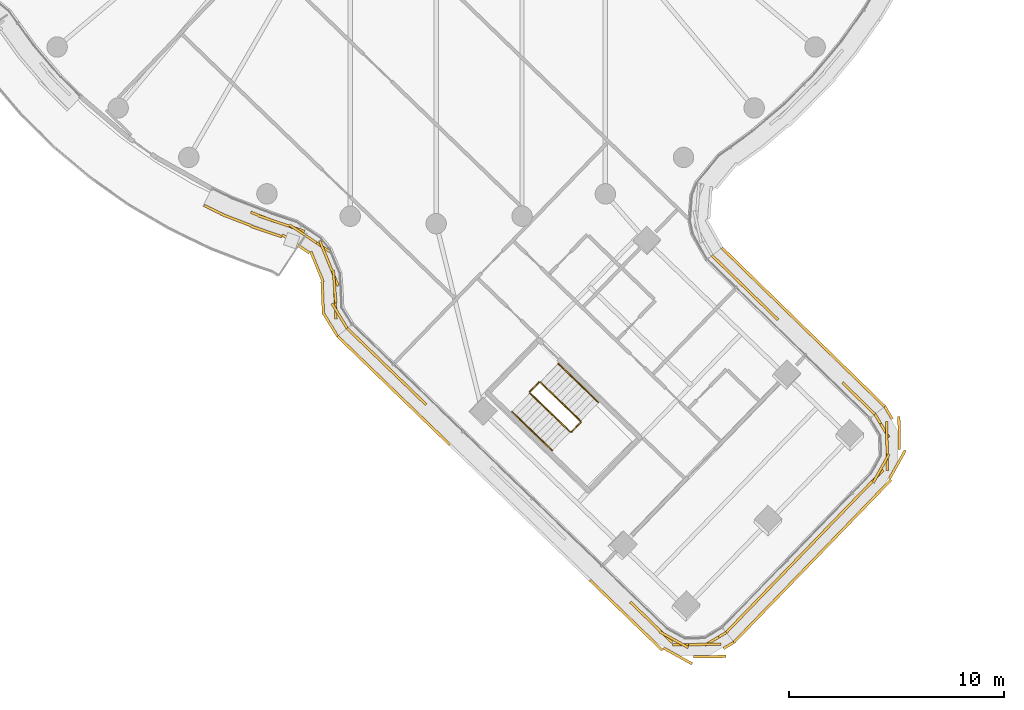
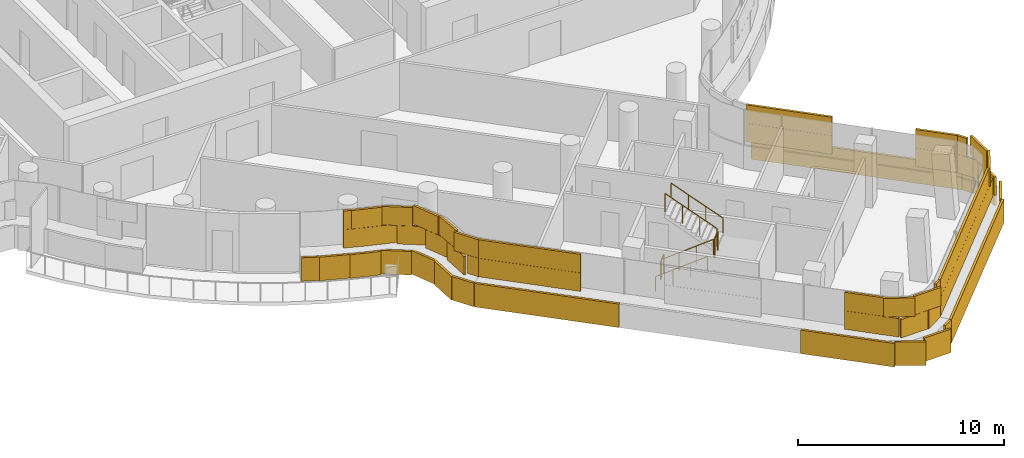
# One storey, part 25 of 31: 6 railings, 5 coverings.
"""IFC4 building model written with IfcOpenShell, lengths in metres."""

from ifc_helpers import new_model, si_unit, direction, frame, origin, origin_2d, place, context, subcontext, project, spatial, rectangle, circle, extrude, material, layer, layer_set, type_object, element, save


model = new_model("IFC4")

# Units and contexts
model_context = context("Model", 3, precision=1e-05, world=origin(), true_north=direction((0.0, 1.0)))
body_context = subcontext(model_context, "Body", "Model", "MODEL_VIEW")
ifc_project = project(units=[si_unit("LENGTHUNIT", "METRE"), si_unit("AREAUNIT", "SQUARE_METRE"), si_unit("VOLUMEUNIT", "CUBIC_METRE"), si_unit("PLANEANGLEUNIT", "RADIAN"), si_unit("MASSUNIT", "GRAM", prefix="KILO")], contexts=[model_context])

# Site, building, storey
site_placement = place(None, origin())
site = spatial("IfcSite", under=ifc_project, at=site_placement, CompositionType="ELEMENT")
building_placement = place(site_placement, origin())
building = spatial("IfcBuilding", under=site, at=building_placement, Name="Tamarind Cross Interchange Tower", CompositionType="ELEMENT")
storey_placement = place(building_placement, frame((0.0, 0.0, 200.5)))
storey = spatial("IfcBuildingStorey", under=building, at=storey_placement, Name="L50", CompositionType="ELEMENT", Elevation=200.5)

# Railings
ifc_material_1 = material(Name="Stair guard")
railing_type_1 = type_object("IfcRailingType", Name="Stair guard", PredefinedType="GUARDRAIL", material=ifc_material_1)
railing_1_placement = place(storey_placement, frame((4.3583984375, -30.872314453125, 0.16357421875)))
element("IfcRailing", 1, at=railing_1_placement, inside=storey, type_object=railing_type_1, Name="L50 ST6 stair guard 1", PredefinedType="GUARDRAIL", context=body_context, shape_type="SweptSolid", body=[
    extrude(circle(Radius=0.02392578125, at=origin_2d()), frame((0.0, 0.0, 1.076171875), z_axis=(0.608485664496, -0.588221351521, 0.532673293603), x_axis=(0.695033422776, 0.718977427479, 0.0)), (0.0, 0.0, 1.0), 3.072265625),
    extrude(circle(Radius=0.02099609375, at=origin_2d()), origin(), (0.0, 0.0, 1.0), 1.052001953125),
    extrude(circle(Radius=0.02099609375, at=origin_2d()), frame((0.623046875, -0.602294921875, 0.54541015625)), (0.0, 0.0, 1.0), 1.052001953125),
    extrude(circle(Radius=0.02099609375, at=origin_2d()), frame((1.246337890625, -1.204833984375, 1.091064453125)), (0.0, 0.0, 1.0), 1.052001953125),
    extrude(circle(Radius=0.02099609375, at=origin_2d()), frame((1.869384765625, -1.80712890625, 1.636474609375)), (0.0, 0.0, 1.0), 1.052001953125),
])
railing_2_placement = place(storey_placement, frame((6.29833984375, -32.67822265625, 1.800048828125)))
element("IfcRailing", 2, at=railing_2_placement, inside=storey, type_object=railing_type_1, Name="L50 ST6 stair guard 2", PredefinedType="GUARDRAIL", context=body_context, shape_type="SweptSolid", body=[
    extrude(circle(Radius=0.02392578125, at=origin_2d()), frame((0.0, 0.0, 1.076171875), z_axis=(0.695001061607, 0.71900870952, 0.0), x_axis=(-0.71900870952, 0.695001061607, 0.0)), (0.0, 0.0, 1.0), 0.60009765625),
    extrude(circle(Radius=0.02099609375, at=origin_2d()), origin(), (0.0, 0.0, 1.0), 1.052001953125),
    extrude(circle(Radius=0.02099609375, at=origin_2d()), frame((0.4169921875, 0.431396484375, 0.0)), (0.0, 0.0, 1.0), 1.052001953125),
])
railing_3_placement = place(storey_placement, frame((6.714111328125, -32.176025390625, 1.963623046875)))
element("IfcRailing", 3, at=railing_3_placement, inside=storey, type_object=railing_type_1, Name="L50 ST6 stair guard 3", PredefinedType="GUARDRAIL", context=body_context, shape_type="SweptSolid", body=[
    extrude(circle(Radius=0.02392578125, at=origin_2d()), frame((0.0, 0.0, 1.076171875), z_axis=(-0.608485664496, 0.588221351521, 0.532673293603), x_axis=(-0.695033422776, -0.718977427479, 0.0)), (0.0, 0.0, 1.0), 3.072265625),
    extrude(circle(Radius=0.02099609375, at=origin_2d()), origin(), (0.0, 0.0, 1.0), 1.052001953125),
    extrude(circle(Radius=0.02099609375, at=origin_2d()), frame((-0.623046875, 0.602294921875, 0.54541015625)), (0.0, 0.0, 1.0), 1.052001953125),
    extrude(circle(Radius=0.02099609375, at=origin_2d()), frame((-1.246337890625, 1.204833984375, 1.091064453125)), (0.0, 0.0, 1.0), 1.052001953125),
    extrude(circle(Radius=0.02099609375, at=origin_2d()), frame((-1.869384765625, 1.80712890625, 1.636474609375)), (0.0, 0.0, 1.0), 1.052001953125),
])
railing_4_placement = place(storey_placement, frame((4.357177734375, -30.801513671875, 0.0)))
element("IfcRailing", 4, at=railing_4_placement, inside=storey, type_object=railing_type_1, Name="L50 ST6 stair guard 4", PredefinedType="GUARDRAIL", context=body_context, shape_type="SweptSolid", body=[
    extrude(circle(Radius=0.02392578125, at=origin_2d()), frame((0.0, 0.0, 1.076171875), z_axis=(0.695001061607, 0.71900870952, 0.0), x_axis=(-0.71900870952, 0.695001061607, 0.0)), (0.0, 0.0, 1.0), 0.60009765625),
    extrude(circle(Radius=0.02099609375, at=origin_2d()), origin(), (0.0, 0.0, 1.0), 1.052001953125),
    extrude(circle(Radius=0.02099609375, at=origin_2d()), frame((0.4169921875, 0.431396484375, 0.0)), (0.0, 0.0, 1.0), 1.052001953125),
])
ifc_material_2 = material(Name="Stair handrail")
railing_type_2 = type_object("IfcRailingType", Name="Stair handrail", PredefinedType="HANDRAIL", material=ifc_material_2)
railing_5_placement = place(storey_placement, frame((3.524169921875, -31.735107421875, 0.16357421875)))
element("IfcRailing", 5, at=railing_5_placement, inside=storey, type_object=railing_type_2, Name="L50 ST6 stair handrail 1", PredefinedType="HANDRAIL", context=body_context, shape_type="SweptSolid", body=[
    extrude(circle(Radius=0.02392578125, at=origin_2d()), frame((0.0, 0.0, 0.8759765625), z_axis=(0.608485664496, -0.588221351521, 0.532673293603), x_axis=(0.695033422776, 0.718977427479, 0.0)), (0.0, 0.0, 1.0), 3.072265625),
    extrude(circle(Radius=0.02099609375, at=origin_2d()), origin(), (0.0, 0.0, 1.0), 0.851806640625),
    extrude(circle(Radius=0.02099609375, at=origin_2d()), frame((0.623046875, -0.602294921875, 0.54541015625)), (0.0, 0.0, 1.0), 0.851806640625),
    extrude(circle(Radius=0.02099609375, at=origin_2d()), frame((1.246337890625, -1.204833984375, 1.091064453125)), (0.0, 0.0, 1.0), 0.851806640625),
    extrude(circle(Radius=0.02099609375, at=origin_2d()), frame((1.869384765625, -1.80712890625, 1.636474609375)), (0.0, 0.0, 1.0), 0.851806640625),
])
railing_6_placement = place(storey_placement, frame((7.548095703125, -31.313232421875, 1.963623046875)))
element("IfcRailing", 6, at=railing_6_placement, inside=storey, type_object=railing_type_2, Name="L50 ST6 stair handrail 2", PredefinedType="HANDRAIL", context=body_context, shape_type="SweptSolid", body=[
    extrude(circle(Radius=0.02392578125, at=origin_2d()), frame((0.0, 0.0, 0.8759765625), z_axis=(-0.608485664496, 0.588221351521, 0.532673293603), x_axis=(-0.695033422776, -0.718977427479, 0.0)), (0.0, 0.0, 1.0), 3.072265625),
    extrude(circle(Radius=0.02099609375, at=origin_2d()), origin(), (0.0, 0.0, 1.0), 0.851806640625),
    extrude(circle(Radius=0.02099609375, at=origin_2d()), frame((-0.623046875, 0.602294921875, 0.54541015625)), (0.0, 0.0, 1.0), 0.851806640625),
    extrude(circle(Radius=0.02099609375, at=origin_2d()), frame((-1.246337890625, 1.204833984375, 1.091064453125)), (0.0, 0.0, 1.0), 0.851806640625),
    extrude(circle(Radius=0.02099609375, at=origin_2d()), frame((-1.869384765625, 1.80712890625, 1.636474609375)), (0.0, 0.0, 1.0), 0.851806640625),
])

# Coverings
ifc_material_3 = material(Name="Terracotta", Category="masonry")
ifc_layer = layer(ifc_material_3, 0.1201171875)
ifc_layer_set = layer_set([ifc_layer], Name="Terracotta")
covering_type = type_object("IfcCoveringType", Name="Terracotta baguette screen unit", PredefinedType="MOLDING", material=ifc_layer_set)
covering_1_placement = place(storey_placement, origin())
element("IfcCovering", 7, at=covering_1_placement, inside=storey, type_object=covering_type, Name="SCR-L50-02-01", PredefinedType="MOLDING", context=body_context, shape_type="SweptSolid", body=[
    extrude(rectangle(XDim=1.1513671875, YDim=0.1201171875, at=origin_2d()), frame((-8.081298828125, -22.67626953125, 1.40380859375), z_axis=(0.0, 0.0, 1.0), x_axis=(0.933146843667, -0.359495435512, 0.0)), (0.0, 0.0, 1.0), 1.092041015625),
    extrude(rectangle(XDim=1.52001953125, YDim=0.1201171875, at=origin_2d()), frame((-6.835693359375, -23.114501953125, 1.40380859375), z_axis=(0.0, 0.0, 1.0), x_axis=(0.947218551696, -0.320588545215, 0.0)), (0.0, 0.0, 1.0), 1.092041015625),
    extrude(rectangle(XDim=1.52001953125, YDim=0.1201171875, at=origin_2d()), frame((-5.559814453125, -23.890380859375, 1.40380859375), z_axis=(0.0, 0.0, 1.0), x_axis=(0.832400058238, -0.554175191655, 0.0)), (0.0, 0.0, 1.0), 1.092041015625),
    extrude(rectangle(XDim=1.52001953125, YDim=0.1201171875, at=origin_2d()), frame((-4.8427734375, -25.1875, 1.40380859375), z_axis=(0.0, 0.0, 1.0), x_axis=(0.377778189197, -0.925896127958, 0.0)), (0.0, 0.0, 1.0), 1.092041015625),
    extrude(rectangle(XDim=1.52001953125, YDim=0.1201171875, at=origin_2d()), frame((-4.689697265625, -26.669921875, 1.40380859375), z_axis=(0.0, 0.0, 1.0), x_axis=(0.044097698036, -0.999027223367, 0.0)), (0.0, 0.0, 1.0), 1.092041015625),
    extrude(rectangle(XDim=0.606201171875, YDim=0.1201171875, at=origin_2d()), frame((-4.291259765625, -27.609130859375, 1.40380859375), z_axis=(0.0, 0.0, 1.0), x_axis=(0.522348907446, -0.852731856383, 0.0)), (0.0, 0.0, 1.0), 1.092041015625),
    extrude(rectangle(XDim=0.4013671875, YDim=0.1201171875, at=origin_2d()), frame((-8.43115234375, -22.54150390625, 2.50390625), z_axis=(0.0, 0.0, 1.0), x_axis=(0.933146843667, -0.359495435512, 0.0)), (0.0, 0.0, 1.0), 1.092041015625),
    extrude(rectangle(XDim=1.52001953125, YDim=0.1201171875, at=origin_2d()), frame((-7.546142578125, -22.8740234375, 2.50390625), z_axis=(0.0, 0.0, 1.0), x_axis=(0.947218551696, -0.320588545215, 0.0)), (0.0, 0.0, 1.0), 1.092041015625),
    extrude(rectangle(XDim=1.52001953125, YDim=0.1201171875, at=origin_2d()), frame((-6.18408203125, -23.474853515625, 2.50390625), z_axis=(0.0, 0.0, 1.0), x_axis=(0.832400058238, -0.554175191655, 0.0)), (0.0, 0.0, 1.0), 1.092041015625),
    extrude(rectangle(XDim=1.52001953125, YDim=0.1201171875, at=origin_2d()), frame((-5.1259765625, -24.492919921875, 2.50390625), z_axis=(0.0, 0.0, 1.0), x_axis=(0.377778189197, -0.925896127958, 0.0)), (0.0, 0.0, 1.0), 1.092041015625),
    extrude(rectangle(XDim=1.52001953125, YDim=0.1201171875, at=origin_2d()), frame((-4.72412109375, -25.920654296875, 2.50390625), z_axis=(0.0, 0.0, 1.0), x_axis=(0.075842703225, -0.997119794392, 0.0)), (0.0, 0.0, 1.0), 1.092041015625),
    extrude(rectangle(XDim=1.356201171875, YDim=0.1201171875, at=origin_2d()), frame((-4.487060546875, -27.28955078125, 2.50390625), z_axis=(0.0, 0.0, 1.0), x_axis=(0.522348907446, -0.852731856383, 0.0)), (0.0, 0.0, 1.0), 1.092041015625),
    extrude(rectangle(XDim=0.8935546875, YDim=0.1201171875, at=origin_2d()), frame((-10.387451171875, -22.345947265625, 0.00390625), z_axis=(0.0, 0.0, 1.0), x_axis=(0.900272776334, -0.435326231914, 0.0)), (0.0, 0.0, 1.0), 1.39208984375),
    extrude(rectangle(XDim=1.52001953125, YDim=0.1201171875, at=origin_2d()), frame((-9.30126953125, -22.8212890625, 0.00390625), z_axis=(0.0, 0.0, 1.0), x_axis=(0.933146843667, -0.359495435512, 0.0)), (0.0, 0.0, 1.0), 1.39208984375),
    extrude(rectangle(XDim=1.52001953125, YDim=0.1201171875, at=origin_2d()), frame((-7.901123046875, -23.35986328125, 0.00390625), z_axis=(0.0, 0.0, 1.0), x_axis=(0.947218551696, -0.320588545215, 0.0)), (0.0, 0.0, 1.0), 1.39208984375),
    extrude(rectangle(XDim=1.52001953125, YDim=0.1201171875, at=origin_2d()), frame((-6.527099609375, -23.93603515625, 0.00390625), z_axis=(0.0, 0.0, 1.0), x_axis=(0.832400058238, -0.554175191655, 0.0)), (0.0, 0.0, 1.0), 1.39208984375),
    extrude(rectangle(XDim=1.52001953125, YDim=0.1201171875, at=origin_2d()), frame((-5.53857421875, -25.001220703125, 0.00390625), z_axis=(0.0, 0.0, 1.0), x_axis=(0.377778189197, -0.925896127958, 0.0)), (0.0, 0.0, 1.0), 1.39208984375),
    extrude(rectangle(XDim=1.52001953125, YDim=0.1201171875, at=origin_2d()), frame((-5.273681640625, -26.458740234375, 0.00390625), z_axis=(0.0, 0.0, 1.0), x_axis=(0.044097698036, -0.999027223367, 0.0)), (0.0, 0.0, 1.0), 1.39208984375),
    extrude(rectangle(XDim=1.21240234375, YDim=0.1201171875, at=origin_2d()), frame((-4.903564453125, -27.70849609375, 0.00390625), z_axis=(0.0, 0.0, 1.0), x_axis=(0.522348907446, -0.852731856383, 0.0)), (0.0, 0.0, 1.0), 1.39208984375),
])
covering_2_placement = place(storey_placement, origin())
element("IfcCovering", 8, at=covering_2_placement, inside=storey, type_object=covering_type, Name="SCR-L50-03-00", PredefinedType="MOLDING", context=body_context, shape_type="SweptSolid", body=[
    extrude(rectangle(XDim=1.510009765625, YDim=0.1201171875, at=origin_2d()), frame((-3.59619140625, -28.384765625, 1.40380859375), z_axis=(0.0, 0.0, 1.0), x_axis=(0.718990536097, -0.695019862308, 0.0)), (0.0, 0.0, 1.0), 1.092041015625),
    extrude(rectangle(XDim=1.52001953125, YDim=0.1201171875, at=origin_2d()), frame((-2.517822265625, -29.42724609375, 1.40380859375), z_axis=(0.0, 0.0, 1.0), x_axis=(0.718990536097, -0.695019862308, 0.0)), (0.0, 0.0, 1.0), 1.092041015625),
    extrude(rectangle(XDim=1.52001953125, YDim=0.1201171875, at=origin_2d()), frame((-1.439208984375, -30.4697265625, 1.40380859375), z_axis=(0.0, 0.0, 1.0), x_axis=(0.718990536097, -0.695019862308, 0.0)), (0.0, 0.0, 1.0), 1.092041015625),
    extrude(rectangle(XDim=0.60498046875, YDim=0.1201171875, at=origin_2d()), frame((-0.68603515625, -31.19775390625, 1.40380859375), z_axis=(0.0, 0.0, 1.0), x_axis=(0.718990536097, -0.695019862308, 0.0)), (0.0, 0.0, 1.0), 1.092041015625),
    extrude(rectangle(XDim=0.760009765625, YDim=0.1201171875, at=origin_2d()), frame((-3.86572265625, -28.1240234375, 2.50390625), z_axis=(0.0, 0.0, 1.0), x_axis=(0.718990536097, -0.695019862308, 0.0)), (0.0, 0.0, 1.0), 1.092041015625),
    extrude(rectangle(XDim=1.52001953125, YDim=0.1201171875, at=origin_2d()), frame((-3.056884765625, -28.906005859375, 2.50390625), z_axis=(0.0, 0.0, 1.0), x_axis=(0.718990536097, -0.695019862308, 0.0)), (0.0, 0.0, 1.0), 1.092041015625),
    extrude(rectangle(XDim=1.52001953125, YDim=0.1201171875, at=origin_2d()), frame((-1.978515625, -29.948486328125, 2.50390625), z_axis=(0.0, 0.0, 1.0), x_axis=(0.718990536097, -0.695019862308, 0.0)), (0.0, 0.0, 1.0), 1.092041015625),
    extrude(rectangle(XDim=1.35498046875, YDim=0.1201171875, at=origin_2d()), frame((-0.955810546875, -30.937255859375, 2.50390625), z_axis=(0.0, 0.0, 1.0), x_axis=(0.718990536097, -0.695019862308, 0.0)), (0.0, 0.0, 1.0), 1.092041015625),
    extrude(rectangle(XDim=1.510009765625, YDim=0.1201171875, at=origin_2d()), frame((-4.0439453125, -28.750244140625, 0.00390625), z_axis=(0.0, 0.0, 1.0), x_axis=(0.718990536097, -0.695019862308, 0.0)), (0.0, 0.0, 1.0), 1.39208984375),
    extrude(rectangle(XDim=1.52001953125, YDim=0.1201171875, at=origin_2d()), frame((-2.968994140625, -29.789306640625, 0.00390625), z_axis=(0.0, 0.0, 1.0), x_axis=(0.718990536097, -0.695019862308, 0.0)), (0.0, 0.0, 1.0), 1.39208984375),
    extrude(rectangle(XDim=1.52001953125, YDim=0.1201171875, at=origin_2d()), frame((-1.890625, -30.831787109375, 0.00390625), z_axis=(0.0, 0.0, 1.0), x_axis=(0.718990536097, -0.695019862308, 0.0)), (0.0, 0.0, 1.0), 1.39208984375),
    extrude(rectangle(XDim=1.52001953125, YDim=0.1201171875, at=origin_2d()), frame((-0.81201171875, -31.874267578125, 0.00390625), z_axis=(0.0, 0.0, 1.0), x_axis=(0.718990536097, -0.695019862308, 0.0)), (0.0, 0.0, 1.0), 1.39208984375),
    extrude(rectangle(XDim=1.25732421875, YDim=0.1201171875, at=origin_2d()), frame((0.171875, -32.825439453125, 0.00390625), z_axis=(0.0, 0.0, 1.0), x_axis=(0.718990536097, -0.695019862308, 0.0)), (0.0, 0.0, 1.0), 1.39208984375),
])
covering_3_placement = place(storey_placement, origin())
element("IfcCovering", 9, at=covering_3_placement, inside=storey, type_object=covering_type, Name="SCR-L50-03-02", PredefinedType="MOLDING", context=body_context, shape_type="SweptSolid", body=[
    extrude(rectangle(XDim=1.204833984375, YDim=0.1201171875, at=origin_2d()), frame((9.455322265625, -41.001220703125, 1.40380859375), z_axis=(0.0, 0.0, 1.0), x_axis=(0.718990536097, -0.695019862308, 0.0)), (0.0, 0.0, 1.0), 1.092041015625),
    extrude(rectangle(XDim=1.52001953125, YDim=0.1201171875, at=origin_2d()), frame((10.424072265625, -41.937744140625, 1.40380859375), z_axis=(0.0, 0.0, 1.0), x_axis=(0.718990536097, -0.695019862308, 0.0)), (0.0, 0.0, 1.0), 1.092041015625),
    extrude(rectangle(XDim=1.52001953125, YDim=0.1201171875, at=origin_2d()), frame((11.7421875, -42.56982421875, 1.40380859375), z_axis=(0.0, 0.0, 1.0), x_axis=(0.999856341381, 0.016949825986, 0.0)), (0.0, 0.0, 1.0), 1.092041015625),
    extrude(rectangle(XDim=1.154052734375, YDim=0.1201171875, at=origin_2d()), frame((12.992919921875, -42.299072265625, 1.40380859375), z_axis=(0.0, 0.0, 1.0), x_axis=(0.857426078778, 0.514607150584, 0.0)), (0.0, 0.0, 1.0), 1.092041015625),
    extrude(rectangle(XDim=0.454833984375, YDim=0.1201171875, at=origin_2d()), frame((9.185791015625, -40.740478515625, 2.50390625), z_axis=(0.0, 0.0, 1.0), x_axis=(0.718990536097, -0.695019862308, 0.0)), (0.0, 0.0, 1.0), 1.092041015625),
    extrude(rectangle(XDim=1.52001953125, YDim=0.1201171875, at=origin_2d()), frame((9.884765625, -41.416259765625, 2.50390625), z_axis=(0.0, 0.0, 1.0), x_axis=(0.718990536097, -0.695019862308, 0.0)), (0.0, 0.0, 1.0), 1.092041015625),
    extrude(rectangle(XDim=1.52001953125, YDim=0.1201171875, at=origin_2d()), frame((11.0537109375, -42.3369140625, 2.50390625), z_axis=(0.0, 0.0, 1.0), x_axis=(0.874375904764, -0.485249190797, 0.0)), (0.0, 0.0, 1.0), 1.092041015625),
    extrude(rectangle(XDim=1.52001953125, YDim=0.1201171875, at=origin_2d()), frame((12.4921875, -42.55712890625, 2.50390625), z_axis=(0.0, 0.0, 1.0), x_axis=(0.999856341381, 0.016949825986, 0.0)), (0.0, 0.0, 1.0), 1.092041015625),
    extrude(rectangle(XDim=0.404052734375, YDim=0.1201171875, at=origin_2d()), frame((13.314453125, -42.10595703125, 2.50390625), z_axis=(0.0, 0.0, 1.0), x_axis=(0.857426078778, 0.514607150584, 0.0)), (0.0, 0.0, 1.0), 1.092041015625),
    extrude(rectangle(XDim=0.18701171875, YDim=0.1201171875, at=origin_2d()), frame((7.216552734375, -39.63525390625, 0.00390625), z_axis=(0.0, 0.0, 1.0), x_axis=(0.718990536097, -0.695019862308, 0.0)), (0.0, 0.0, 1.0), 1.39208984375),
    extrude(rectangle(XDim=1.52001953125, YDim=0.1201171875, at=origin_2d()), frame((7.815673828125, -40.214599609375, 0.00390625), z_axis=(0.0, 0.0, 1.0), x_axis=(0.718990536097, -0.695019862308, 0.0)), (0.0, 0.0, 1.0), 1.39208984375),
    extrude(rectangle(XDim=1.52001953125, YDim=0.1201171875, at=origin_2d()), frame((8.894287109375, -41.257080078125, 0.00390625), z_axis=(0.0, 0.0, 1.0), x_axis=(0.718990536097, -0.695019862308, 0.0)), (0.0, 0.0, 1.0), 1.39208984375),
    extrude(rectangle(XDim=1.52001953125, YDim=0.1201171875, at=origin_2d()), frame((9.97265625, -42.299560546875, 0.00390625), z_axis=(0.0, 0.0, 1.0), x_axis=(0.718990536097, -0.695019862308, 0.0)), (0.0, 0.0, 1.0), 1.39208984375),
    extrude(rectangle(XDim=1.52001953125, YDim=0.1201171875, at=origin_2d()), frame((11.235107421875, -43.093994140625, 0.00390625), z_axis=(0.0, 0.0, 1.0), x_axis=(0.874375904764, -0.485249190797, 0.0)), (0.0, 0.0, 1.0), 1.39208984375),
    extrude(rectangle(XDim=1.52001953125, YDim=0.1201171875, at=origin_2d()), frame((12.72021484375, -43.12744140625, 0.00390625), z_axis=(0.0, 0.0, 1.0), x_axis=(0.999856341381, 0.016949825986, 0.0)), (0.0, 0.0, 1.0), 1.39208984375),
    extrude(rectangle(XDim=0.56884765625, YDim=0.1201171875, at=origin_2d()), frame((13.599853515625, -42.604248046875, 0.00390625), z_axis=(0.0, 0.0, 1.0), x_axis=(0.857426078778, 0.514607150584, 0.0)), (0.0, 0.0, 1.0), 1.39208984375),
])
covering_4_placement = place(storey_placement, origin())
element("IfcCovering", 10, at=covering_4_placement, inside=storey, type_object=covering_type, Name="SCR-L50-04-00", PredefinedType="MOLDING", context=body_context, shape_type="SweptSolid", body=[
    extrude(rectangle(XDim=1.510009765625, YDim=0.1201171875, at=origin_2d()), frame((14.0048828125, -41.46533203125, 1.40380859375), z_axis=(0.0, 0.0, 1.0), x_axis=(0.695019862308, 0.718990536097, 0.0)), (0.0, 0.0, 1.0), 1.092041015625),
    extrude(rectangle(XDim=1.52001953125, YDim=0.1201171875, at=origin_2d()), frame((15.04736328125, -40.386962890625, 1.40380859375), z_axis=(0.0, 0.0, 1.0), x_axis=(0.695019862308, 0.718990536097, 0.0)), (0.0, 0.0, 1.0), 1.092041015625),
    extrude(rectangle(XDim=1.52001953125, YDim=0.1201171875, at=origin_2d()), frame((16.08984375, -39.308349609375, 1.40380859375), z_axis=(0.0, 0.0, 1.0), x_axis=(0.695019862308, 0.718990536097, 0.0)), (0.0, 0.0, 1.0), 1.092041015625),
    extrude(rectangle(XDim=1.52001953125, YDim=0.1201171875, at=origin_2d()), frame((17.13232421875, -38.22998046875, 1.40380859375), z_axis=(0.0, 0.0, 1.0), x_axis=(0.695019862308, 0.718990536097, 0.0)), (0.0, 0.0, 1.0), 1.092041015625),
    extrude(rectangle(XDim=1.52001953125, YDim=0.1201171875, at=origin_2d()), frame((18.1748046875, -37.1513671875, 1.40380859375), z_axis=(0.0, 0.0, 1.0), x_axis=(0.695019862308, 0.718990536097, 0.0)), (0.0, 0.0, 1.0), 1.092041015625),
    extrude(rectangle(XDim=1.52001953125, YDim=0.1201171875, at=origin_2d()), frame((19.217529296875, -36.072998046875, 1.40380859375), z_axis=(0.0, 0.0, 1.0), x_axis=(0.695019862308, 0.718990536097, 0.0)), (0.0, 0.0, 1.0), 1.092041015625),
    extrude(rectangle(XDim=1.52001953125, YDim=0.1201171875, at=origin_2d()), frame((20.260009765625, -34.994384765625, 1.40380859375), z_axis=(0.0, 0.0, 1.0), x_axis=(0.695019862308, 0.718990536097, 0.0)), (0.0, 0.0, 1.0), 1.092041015625),
    extrude(rectangle(XDim=1.52001953125, YDim=0.1201171875, at=origin_2d()), frame((20.96728515625, -33.7060546875, 1.40380859375), z_axis=(0.0, 0.0, 1.0), x_axis=(-0.016949825986, 0.999856341381, 0.0)), (0.0, 0.0, 1.0), 1.092041015625),
    extrude(rectangle(XDim=1.259521484375, YDim=0.1201171875, at=origin_2d()), frame((20.721923828125, -32.39501953125, 1.40380859375), z_axis=(0.0, 0.0, 1.0), x_axis=(-0.514607150584, 0.857426078778, 0.0)), (0.0, 0.0, 1.0), 1.092041015625),
    extrude(rectangle(XDim=0.760009765625, YDim=0.1201171875, at=origin_2d()), frame((13.744140625, -41.735107421875, 2.50390625), z_axis=(0.0, 0.0, 1.0), x_axis=(0.695019862308, 0.718990536097, 0.0)), (0.0, 0.0, 1.0), 1.092041015625),
    extrude(rectangle(XDim=1.52001953125, YDim=0.1201171875, at=origin_2d()), frame((14.526123046875, -40.92626953125, 2.50390625), z_axis=(0.0, 0.0, 1.0), x_axis=(0.695019862308, 0.718990536097, 0.0)), (0.0, 0.0, 1.0), 1.092041015625),
    extrude(rectangle(XDim=1.52001953125, YDim=0.1201171875, at=origin_2d()), frame((15.568603515625, -39.84765625, 2.50390625), z_axis=(0.0, 0.0, 1.0), x_axis=(0.695019862308, 0.718990536097, 0.0)), (0.0, 0.0, 1.0), 1.092041015625),
    extrude(rectangle(XDim=1.52001953125, YDim=0.1201171875, at=origin_2d()), frame((16.611083984375, -38.769287109375, 2.50390625), z_axis=(0.0, 0.0, 1.0), x_axis=(0.695019862308, 0.718990536097, 0.0)), (0.0, 0.0, 1.0), 1.092041015625),
    extrude(rectangle(XDim=1.52001953125, YDim=0.1201171875, at=origin_2d()), frame((17.653564453125, -37.690673828125, 2.50390625), z_axis=(0.0, 0.0, 1.0), x_axis=(0.695019862308, 0.718990536097, 0.0)), (0.0, 0.0, 1.0), 1.092041015625),
    extrude(rectangle(XDim=1.52001953125, YDim=0.1201171875, at=origin_2d()), frame((18.696044921875, -36.6123046875, 2.50390625), z_axis=(0.0, 0.0, 1.0), x_axis=(0.695019862308, 0.718990536097, 0.0)), (0.0, 0.0, 1.0), 1.092041015625),
    extrude(rectangle(XDim=1.52001953125, YDim=0.1201171875, at=origin_2d()), frame((19.73876953125, -35.53369140625, 2.50390625), z_axis=(0.0, 0.0, 1.0), x_axis=(0.695019862308, 0.718990536097, 0.0)), (0.0, 0.0, 1.0), 1.092041015625),
    extrude(rectangle(XDim=1.52001953125, YDim=0.1201171875, at=origin_2d()), frame((20.681396484375, -34.38134765625, 2.50390625), z_axis=(0.0, 0.0, 1.0), x_axis=(0.485249190797, 0.874375904764, 0.0)), (0.0, 0.0, 1.0), 1.092041015625),
    extrude(rectangle(XDim=1.52001953125, YDim=0.1201171875, at=origin_2d()), frame((20.95458984375, -32.9560546875, 2.50390625), z_axis=(0.0, 0.0, 1.0), x_axis=(-0.016949825986, 0.999856341381, 0.0)), (0.0, 0.0, 1.0), 1.092041015625),
    extrude(rectangle(XDim=0.509521484375, YDim=0.1201171875, at=origin_2d()), frame((20.529052734375, -32.073486328125, 2.50390625), z_axis=(0.0, 0.0, 1.0), x_axis=(-0.514607150584, 0.857426078778, 0.0)), (0.0, 0.0, 1.0), 1.092041015625),
    extrude(rectangle(XDim=1.510009765625, YDim=0.1201171875, at=origin_2d()), frame((14.368408203125, -41.9150390625, 0.00390625), z_axis=(0.0, 0.0, 1.0), x_axis=(0.695019862308, 0.718990536097, 0.0)), (0.0, 0.0, 1.0), 1.39208984375),
    extrude(rectangle(XDim=1.52001953125, YDim=0.1201171875, at=origin_2d()), frame((15.407470703125, -40.840087890625, 0.00390625), z_axis=(0.0, 0.0, 1.0), x_axis=(0.695019862308, 0.718990536097, 0.0)), (0.0, 0.0, 1.0), 1.39208984375),
    extrude(rectangle(XDim=1.52001953125, YDim=0.1201171875, at=origin_2d()), frame((16.449951171875, -39.76171875, 0.00390625), z_axis=(0.0, 0.0, 1.0), x_axis=(0.695019862308, 0.718990536097, 0.0)), (0.0, 0.0, 1.0), 1.39208984375),
    extrude(rectangle(XDim=1.52001953125, YDim=0.1201171875, at=origin_2d()), frame((17.492431640625, -38.683349609375, 0.00390625), z_axis=(0.0, 0.0, 1.0), x_axis=(0.695019862308, 0.718990536097, 0.0)), (0.0, 0.0, 1.0), 1.39208984375),
    extrude(rectangle(XDim=1.52001953125, YDim=0.1201171875, at=origin_2d()), frame((18.53515625, -37.604736328125, 0.00390625), z_axis=(0.0, 0.0, 1.0), x_axis=(0.695019862308, 0.718990536097, 0.0)), (0.0, 0.0, 1.0), 1.39208984375),
    extrude(rectangle(XDim=1.52001953125, YDim=0.1201171875, at=origin_2d()), frame((19.57763671875, -36.5263671875, 0.00390625), z_axis=(0.0, 0.0, 1.0), x_axis=(0.695019862308, 0.718990536097, 0.0)), (0.0, 0.0, 1.0), 1.39208984375),
    extrude(rectangle(XDim=1.52001953125, YDim=0.1201171875, at=origin_2d()), frame((20.6201171875, -35.44775390625, 0.00390625), z_axis=(0.0, 0.0, 1.0), x_axis=(0.695019862308, 0.718990536097, 0.0)), (0.0, 0.0, 1.0), 1.39208984375),
    extrude(rectangle(XDim=1.52001953125, YDim=0.1201171875, at=origin_2d()), frame((21.43701171875, -34.2021484375, 0.00390625), z_axis=(0.0, 0.0, 1.0), x_axis=(0.485249190797, 0.874375904764, 0.0)), (0.0, 0.0, 1.0), 1.39208984375),
    extrude(rectangle(XDim=1.52001953125, YDim=0.1201171875, at=origin_2d()), frame((21.52490234375, -32.730712890625, 0.00390625), z_axis=(0.0, 0.0, 1.0), x_axis=(-0.016949825986, 0.999856341381, 0.0)), (0.0, 0.0, 1.0), 1.39208984375),
    extrude(rectangle(XDim=0.67578125, YDim=0.1201171875, at=origin_2d()), frame((21.0283203125, -31.789794921875, 0.00390625), z_axis=(0.0, 0.0, 1.0), x_axis=(-0.514607150584, 0.857426078778, 0.0)), (0.0, 0.0, 1.0), 1.39208984375),
])
covering_5_placement = place(storey_placement, origin())
element("IfcCovering", 11, at=covering_5_placement, inside=storey, type_object=covering_type, Name="SCR-L50-05-00", PredefinedType="MOLDING", context=body_context, shape_type="SweptSolid", body=[
    extrude(rectangle(XDim=1.510009765625, YDim=0.1201171875, at=origin_2d()), frame((19.86328125, -31.3359375, 1.40380859375), z_axis=(0.0, 0.0, 1.0), x_axis=(-0.716214822017, 0.6978798813, 0.0)), (0.0, 0.0, 1.0), 1.092041015625),
    extrude(rectangle(XDim=0.617431640625, YDim=0.1201171875, at=origin_2d()), frame((19.108642578125, -30.6005859375, 1.40380859375), z_axis=(0.0, 0.0, 1.0), x_axis=(-0.716214822017, 0.6978798813, 0.0)), (0.0, 0.0, 1.0), 1.092041015625),
    extrude(rectangle(XDim=1.202392578125, YDim=0.1201171875, at=origin_2d()), frame((15.455810546875, -27.041259765625, 1.40380859375), z_axis=(0.0, 0.0, 1.0), x_axis=(-0.716214822017, 0.6978798813, 0.0)), (0.0, 0.0, 1.0), 1.092041015625),
    extrude(rectangle(XDim=1.52001953125, YDim=0.1201171875, at=origin_2d()), frame((14.49169921875, -26.101806640625, 1.40380859375), z_axis=(0.0, 0.0, 1.0), x_axis=(-0.716214822017, 0.6978798813, 0.0)), (0.0, 0.0, 1.0), 1.092041015625),
    extrude(rectangle(XDim=1.52001953125, YDim=0.1201171875, at=origin_2d()), frame((13.41748046875, -25.054931640625, 1.40380859375), z_axis=(0.0, 0.0, 1.0), x_axis=(-0.716214822017, 0.6978798813, 0.0)), (0.0, 0.0, 1.0), 1.092041015625),
    extrude(rectangle(XDim=0.0859375, YDim=0.1201171875, at=origin_2d()), frame((12.85302734375, -24.505126953125, 1.40380859375), z_axis=(0.0, 0.0, 1.0), x_axis=(-0.716214822017, 0.6978798813, 0.0)), (0.0, 0.0, 1.0), 1.092041015625),
    extrude(rectangle(XDim=0.760009765625, YDim=0.1201171875, at=origin_2d()), frame((20.1318359375, -31.59765625, 2.50390625), z_axis=(0.0, 0.0, 1.0), x_axis=(-0.716214822017, 0.6978798813, 0.0)), (0.0, 0.0, 1.0), 1.092041015625),
    extrude(rectangle(XDim=1.367431640625, YDim=0.1201171875, at=origin_2d()), frame((19.377197265625, -30.8623046875, 2.50390625), z_axis=(0.0, 0.0, 1.0), x_axis=(-0.716214822017, 0.6978798813, 0.0)), (0.0, 0.0, 1.0), 1.092041015625),
    extrude(rectangle(XDim=0.452392578125, YDim=0.1201171875, at=origin_2d()), frame((15.724365234375, -27.302978515625, 2.50390625), z_axis=(0.0, 0.0, 1.0), x_axis=(-0.716214822017, 0.6978798813, 0.0)), (0.0, 0.0, 1.0), 1.092041015625),
    extrude(rectangle(XDim=1.52001953125, YDim=0.1201171875, at=origin_2d()), frame((15.02880859375, -26.625244140625, 2.50390625), z_axis=(0.0, 0.0, 1.0), x_axis=(-0.716214822017, 0.6978798813, 0.0)), (0.0, 0.0, 1.0), 1.092041015625),
    extrude(rectangle(XDim=1.52001953125, YDim=0.1201171875, at=origin_2d()), frame((13.95458984375, -25.578369140625, 2.50390625), z_axis=(0.0, 0.0, 1.0), x_axis=(-0.716214822017, 0.6978798813, 0.0)), (0.0, 0.0, 1.0), 1.092041015625),
    extrude(rectangle(XDim=0.8359375, YDim=0.1201171875, at=origin_2d()), frame((13.12158203125, -24.766845703125, 2.50390625), z_axis=(0.0, 0.0, 1.0), x_axis=(-0.716214822017, 0.6978798813, 0.0)), (0.0, 0.0, 1.0), 1.092041015625),
    extrude(rectangle(XDim=1.510009765625, YDim=0.1201171875, at=origin_2d()), frame((20.3134765625, -30.97314453125, 0.00390625), z_axis=(0.0, 0.0, 1.0), x_axis=(-0.716214822017, 0.6978798813, 0.0)), (0.0, 0.0, 1.0), 1.39208984375),
    extrude(rectangle(XDim=1.52001953125, YDim=0.1201171875, at=origin_2d()), frame((19.242919921875, -29.929931640625, 0.00390625), z_axis=(0.0, 0.0, 1.0), x_axis=(-0.716214822017, 0.6978798813, 0.0)), (0.0, 0.0, 1.0), 1.39208984375),
    extrude(rectangle(XDim=1.52001953125, YDim=0.1201171875, at=origin_2d()), frame((18.16845703125, -28.883056640625, 0.00390625), z_axis=(0.0, 0.0, 1.0), x_axis=(-0.716214822017, 0.6978798813, 0.0)), (0.0, 0.0, 1.0), 1.39208984375),
    extrude(rectangle(XDim=1.52001953125, YDim=0.1201171875, at=origin_2d()), frame((17.09423828125, -27.836181640625, 0.00390625), z_axis=(0.0, 0.0, 1.0), x_axis=(-0.716214822017, 0.6978798813, 0.0)), (0.0, 0.0, 1.0), 1.39208984375),
    extrude(rectangle(XDim=1.52001953125, YDim=0.1201171875, at=origin_2d()), frame((16.019775390625, -26.78955078125, 0.00390625), z_axis=(0.0, 0.0, 1.0), x_axis=(-0.716214822017, 0.6978798813, 0.0)), (0.0, 0.0, 1.0), 1.39208984375),
    extrude(rectangle(XDim=1.52001953125, YDim=0.1201171875, at=origin_2d()), frame((14.945556640625, -25.74267578125, 0.00390625), z_axis=(0.0, 0.0, 1.0), x_axis=(-0.716214822017, 0.6978798813, 0.0)), (0.0, 0.0, 1.0), 1.39208984375),
    extrude(rectangle(XDim=1.52001953125, YDim=0.1201171875, at=origin_2d()), frame((13.871337890625, -24.69580078125, 0.00390625), z_axis=(0.0, 0.0, 1.0), x_axis=(-0.716214822017, 0.6978798813, 0.0)), (0.0, 0.0, 1.0), 1.39208984375),
    extrude(rectangle(XDim=0.076904296875, YDim=0.1201171875, at=origin_2d()), frame((13.313720703125, -24.152587890625, 0.00390625), z_axis=(0.0, 0.0, 1.0), x_axis=(-0.716214822017, 0.6978798813, 0.0)), (0.0, 0.0, 1.0), 1.39208984375),
])

save(model, "model.ifc")
